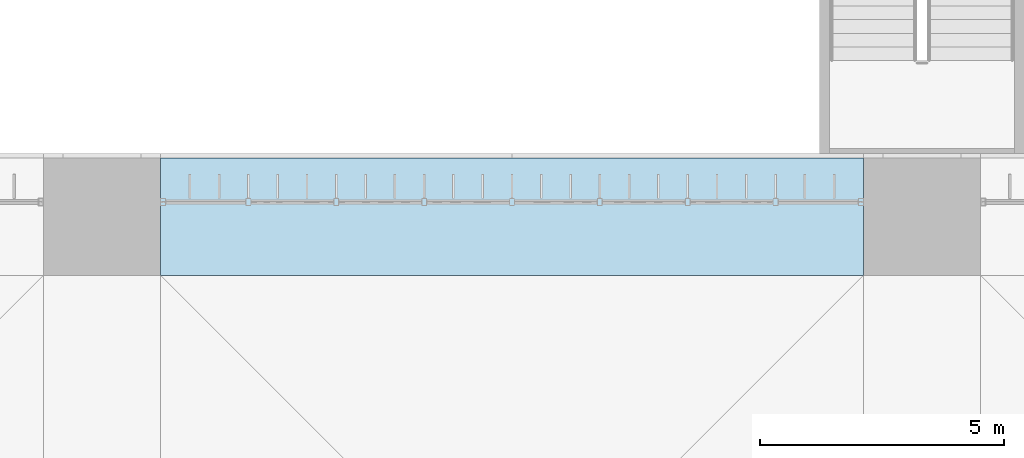
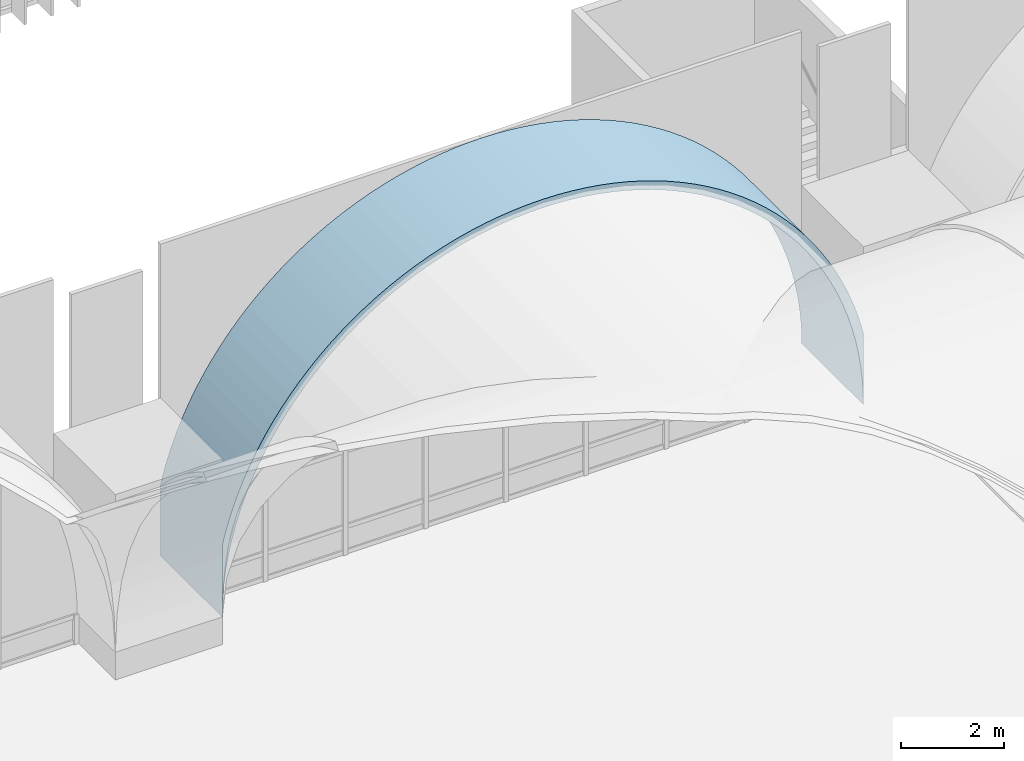
# One storey, part 121 of 169: 1 roof.
"""IFC4 building model written with IfcOpenShell, lengths in metres."""

from ifc_helpers import new_model, si_unit, direction, frame, origin, place, context, subcontext, project, spatial, polygons, material, layer, layer_set, type_object, element, save


model = new_model("IFC4")

# Units and contexts
model_context = context("Model", 3, precision=1e-05, world=origin(), true_north=direction((0.0, 1.0)))
body_context = subcontext(model_context, "Body", "Model", "MODEL_VIEW")
ifc_project = project(units=[si_unit("LENGTHUNIT", "METRE"), si_unit("AREAUNIT", "SQUARE_METRE"), si_unit("VOLUMEUNIT", "CUBIC_METRE"), si_unit("PLANEANGLEUNIT", "RADIAN"), si_unit("MASSUNIT", "GRAM", prefix="KILO")], contexts=[model_context])

# Site, building, storey
site_placement = place(None, origin())
site = spatial("IfcSite", under=ifc_project, at=site_placement, CompositionType="ELEMENT")
building_placement = place(site_placement, origin())
building = spatial("IfcBuilding", under=site, at=building_placement, Name="Verrick Yard Athletic Hall", CompositionType="ELEMENT")
storey_placement = place(building_placement, frame((0.0, 0.0, 4.39990234375)))
storey = spatial("IfcBuildingStorey", under=building, at=storey_placement, Name="L01", CompositionType="ELEMENT", Elevation=4.39990234375)

# Roof
ifc_material = material(Name="Concrete 35 MPa", Category="concrete")
ifc_layer = layer(ifc_material, 0.199951171875)
ifc_layer_set = layer_set([ifc_layer], Name="Arch rib 200")
roof_type = type_object("IfcRoofType", Name="Arch rib 200", PredefinedType="BARREL_ROOF", material=ifc_layer_set)
roof_placement = place(storey_placement, origin())
element("IfcRoof", 1, at=roof_placement, inside=storey, type_object=roof_type, Name="Vault rib N2", PredefinedType="BARREL_ROOF", context=body_context, shape_type="Tessellation", body=[
    polygons([(58.0, 51.60009765625, 2.352294921875), (58.0, 51.60009765625, 0.650146484375), (58.0068359375, 51.60009765625, 0.964111328125), (58.02734375, 51.60009765625, 1.277587890625), (58.0615234375, 51.60009765625, 1.58984375), (58.109375, 51.60009765625, 1.900390625), (58.170654296875, 51.60009765625, 2.20849609375), (58.245361328125, 51.60009765625, 2.513671875), (58.333251953125, 51.60009765625, 2.815185546875), (58.43408203125, 51.60009765625, 3.112548828125), (58.548095703125, 51.60009765625, 3.405517578125), (58.674560546875, 51.60009765625, 3.693115234375), (58.8134765625, 51.60009765625, 3.974609375), (58.964599609375, 51.60009765625, 4.25), (59.127685546875, 51.60009765625, 4.518798828125), (59.302001953125, 51.60009765625, 4.77978515625), (59.48779296875, 51.60009765625, 5.033203125), (59.6845703125, 51.60009765625, 5.278076171875), (59.8916015625, 51.60009765625, 5.514404296875), (60.10888671875, 51.60009765625, 5.7412109375), (60.335693359375, 51.60009765625, 5.95849609375), (60.572021484375, 51.60009765625, 6.16552734375), (60.81689453125, 51.60009765625, 6.3623046875), (61.0703125, 51.60009765625, 6.548095703125), (61.331298828125, 51.60009765625, 6.722412109375), (61.60009765625, 51.60009765625, 6.885498046875), (61.87548828125, 51.60009765625, 7.03662109375), (62.156982421875, 51.60009765625, 7.175537109375), (62.444580078125, 51.60009765625, 7.302001953125), (62.737548828125, 51.60009765625, 7.416015625), (63.034912109375, 51.60009765625, 7.516845703125), (63.33642578125, 51.60009765625, 7.604736328125), (63.6416015625, 51.60009765625, 7.679443359375), (63.94970703125, 51.60009765625, 7.74072265625), (64.26025390625, 51.60009765625, 7.78857421875), (64.572509765625, 51.60009765625, 7.82275390625), (64.885986328125, 51.60009765625, 7.84326171875), (65.199951171875, 51.60009765625, 7.85009765625), (65.51416015625, 51.60009765625, 7.84326171875), (65.827392578125, 51.60009765625, 7.82275390625), (66.139892578125, 51.60009765625, 7.78857421875), (66.4501953125, 51.60009765625, 7.74072265625), (66.75830078125, 51.60009765625, 7.679443359375), (67.0634765625, 51.60009765625, 7.604736328125), (67.364990234375, 51.60009765625, 7.516845703125), (67.66259765625, 51.60009765625, 7.416015625), (67.955322265625, 51.60009765625, 7.302001953125), (68.242919921875, 51.60009765625, 7.175537109375), (68.524658203125, 51.60009765625, 7.03662109375), (68.800048828125, 51.60009765625, 6.885498046875), (69.068603515625, 51.60009765625, 6.722412109375), (69.329833984375, 51.60009765625, 6.548095703125), (69.5830078125, 51.60009765625, 6.3623046875), (69.828125, 51.60009765625, 6.16552734375), (70.064208984375, 51.60009765625, 5.95849609375), (70.291259765625, 51.60009765625, 5.7412109375), (70.50830078125, 51.60009765625, 5.514404296875), (70.715576171875, 51.60009765625, 5.278076171875), (70.912109375, 51.60009765625, 5.033203125), (71.097900390625, 51.60009765625, 4.77978515625), (71.2724609375, 51.60009765625, 4.518798828125), (71.435302734375, 51.60009765625, 4.25), (71.58642578125, 51.60009765625, 3.974609375), (71.725341796875, 51.60009765625, 3.693115234375), (71.851806640625, 51.60009765625, 3.405517578125), (71.9658203125, 51.60009765625, 3.112548828125), (72.06689453125, 51.60009765625, 2.815185546875), (72.15478515625, 51.60009765625, 2.513671875), (72.229248046875, 51.60009765625, 2.20849609375), (72.29052734375, 51.60009765625, 1.900390625), (72.33837890625, 51.60009765625, 1.58984375), (72.37255859375, 51.60009765625, 1.277587890625), (72.39306640625, 51.60009765625, 0.964111328125), (72.39990234375, 51.60009765625, 0.650146484375), (72.39990234375, 51.60009765625, 2.352294921875), (72.347900390625, 51.60009765625, 2.5654296875), (72.257568359375, 51.60009765625, 2.875244140625), (72.15380859375, 51.60009765625, 3.180908203125), (72.03662109375, 51.60009765625, 3.48193359375), (71.90673828125, 51.60009765625, 3.777587890625), (71.763916015625, 51.60009765625, 4.06689453125), (71.608642578125, 51.60009765625, 4.35009765625), (71.441162109375, 51.60009765625, 4.6259765625), (71.26171875, 51.60009765625, 4.89453125), (71.07080078125, 51.60009765625, 5.15478515625), (70.86865234375, 51.60009765625, 5.40673828125), (70.656005859375, 51.60009765625, 5.6494140625), (70.4326171875, 51.60009765625, 5.8828125), (70.199462890625, 51.60009765625, 6.10595703125), (69.95654296875, 51.60009765625, 6.31884765625), (69.704833984375, 51.60009765625, 6.52099609375), (69.444580078125, 51.60009765625, 6.7119140625), (69.176025390625, 51.60009765625, 6.89111328125), (68.89990234375, 51.60009765625, 7.05859375), (68.616943359375, 51.60009765625, 7.214111328125), (68.327392578125, 51.60009765625, 7.356689453125), (68.031982421875, 51.60009765625, 7.48681640625), (67.73095703125, 51.60009765625, 7.603759765625), (67.42529296875, 51.60009765625, 7.70751953125), (67.115234375, 51.60009765625, 7.798095703125), (66.8017578125, 51.60009765625, 7.874755859375), (66.485107421875, 51.60009765625, 7.937744140625), (66.166015625, 51.60009765625, 7.98681640625), (65.844970703125, 51.60009765625, 8.02197265625), (65.522705078125, 51.60009765625, 8.043212890625), (65.199951171875, 51.60009765625, 8.050048828125), (64.877197265625, 51.60009765625, 8.043212890625), (64.554931640625, 51.60009765625, 8.02197265625), (64.234130859375, 51.60009765625, 7.98681640625), (63.9150390625, 51.60009765625, 7.937744140625), (63.598388671875, 51.60009765625, 7.874755859375), (63.28466796875, 51.60009765625, 7.798095703125), (62.974853515625, 51.60009765625, 7.70751953125), (62.669189453125, 51.60009765625, 7.603759765625), (62.3681640625, 51.60009765625, 7.48681640625), (62.072509765625, 51.60009765625, 7.356689453125), (61.783203125, 51.60009765625, 7.214111328125), (61.5, 51.60009765625, 7.05859375), (61.22412109375, 51.60009765625, 6.89111328125), (60.95556640625, 51.60009765625, 6.7119140625), (60.6953125, 51.60009765625, 6.52099609375), (60.443359375, 51.60009765625, 6.31884765625), (60.20068359375, 51.60009765625, 6.10595703125), (59.96728515625, 51.60009765625, 5.8828125), (59.744140625, 51.60009765625, 5.6494140625), (59.53125, 51.60009765625, 5.40673828125), (59.3291015625, 51.60009765625, 5.15478515625), (59.13818359375, 51.60009765625, 4.89453125), (58.958984375, 51.60009765625, 4.6259765625), (58.79150390625, 51.60009765625, 4.35009765625), (58.635986328125, 51.60009765625, 4.06689453125), (58.493408203125, 51.60009765625, 3.777587890625), (58.36328125, 51.60009765625, 3.48193359375), (58.246337890625, 51.60009765625, 3.180908203125), (58.142578125, 51.60009765625, 2.875244140625), (58.052001953125, 51.60009765625, 2.5654296875), (58.0, 54.0, 2.352294921875), (58.0, 54.0, 0.650146484375), (58.0068359375, 54.0, 0.964111328125), (58.02734375, 54.0, 1.277587890625), (58.0615234375, 54.0, 1.58984375), (58.109375, 54.0, 1.900390625), (58.170654296875, 54.0, 2.20849609375), (58.245361328125, 54.0, 2.513671875), (58.333251953125, 54.0, 2.815185546875), (58.43408203125, 54.0, 3.112548828125), (58.548095703125, 54.0, 3.405517578125), (58.674560546875, 54.0, 3.693115234375), (58.8134765625, 54.0, 3.974609375), (58.964599609375, 54.0, 4.25), (59.127685546875, 54.0, 4.518798828125), (59.302001953125, 54.0, 4.77978515625), (59.48779296875, 54.0, 5.033203125), (59.6845703125, 54.0, 5.278076171875), (59.8916015625, 54.0, 5.514404296875), (60.10888671875, 54.0, 5.7412109375), (60.335693359375, 54.0, 5.95849609375), (60.572021484375, 54.0, 6.16552734375), (60.81689453125, 54.0, 6.3623046875), (61.0703125, 54.0, 6.548095703125), (61.331298828125, 54.0, 6.722412109375), (61.60009765625, 54.0, 6.885498046875), (61.87548828125, 54.0, 7.03662109375), (62.156982421875, 54.0, 7.175537109375), (62.444580078125, 54.0, 7.302001953125), (62.737548828125, 54.0, 7.416015625), (63.034912109375, 54.0, 7.516845703125), (63.33642578125, 54.0, 7.604736328125), (63.6416015625, 54.0, 7.679443359375), (63.94970703125, 54.0, 7.74072265625), (64.26025390625, 54.0, 7.78857421875), (64.572509765625, 54.0, 7.82275390625), (64.885986328125, 54.0, 7.84326171875), (65.199951171875, 54.0, 7.85009765625), (65.51416015625, 54.0, 7.84326171875), (65.827392578125, 54.0, 7.82275390625), (66.139892578125, 54.0, 7.78857421875), (66.4501953125, 54.0, 7.74072265625), (66.75830078125, 54.0, 7.679443359375), (67.0634765625, 54.0, 7.604736328125), (67.364990234375, 54.0, 7.516845703125), (67.66259765625, 54.0, 7.416015625), (67.955322265625, 54.0, 7.302001953125), (68.242919921875, 54.0, 7.175537109375), (68.524658203125, 54.0, 7.03662109375), (68.800048828125, 54.0, 6.885498046875), (69.068603515625, 54.0, 6.722412109375), (69.329833984375, 54.0, 6.548095703125), (69.5830078125, 54.0, 6.3623046875), (69.828125, 54.0, 6.16552734375), (70.064208984375, 54.0, 5.95849609375), (70.291259765625, 54.0, 5.7412109375), (70.50830078125, 54.0, 5.514404296875), (70.715576171875, 54.0, 5.278076171875), (70.912109375, 54.0, 5.033203125), (71.097900390625, 54.0, 4.77978515625), (71.2724609375, 54.0, 4.518798828125), (71.435302734375, 54.0, 4.25), (71.58642578125, 54.0, 3.974609375), (71.725341796875, 54.0, 3.693115234375), (71.851806640625, 54.0, 3.405517578125), (71.9658203125, 54.0, 3.112548828125), (72.06689453125, 54.0, 2.815185546875), (72.15478515625, 54.0, 2.513671875), (72.229248046875, 54.0, 2.20849609375), (72.29052734375, 54.0, 1.900390625), (72.33837890625, 54.0, 1.58984375), (72.37255859375, 54.0, 1.277587890625), (72.39306640625, 54.0, 0.964111328125), (72.39990234375, 54.0, 0.650146484375), (72.39990234375, 54.0, 2.352294921875), (72.347900390625, 54.0, 2.5654296875), (72.257568359375, 54.0, 2.875244140625), (72.15380859375, 54.0, 3.180908203125), (72.03662109375, 54.0, 3.48193359375), (71.90673828125, 54.0, 3.777587890625), (71.763916015625, 54.0, 4.06689453125), (71.608642578125, 54.0, 4.35009765625), (71.441162109375, 54.0, 4.6259765625), (71.26171875, 54.0, 4.89453125), (71.07080078125, 54.0, 5.15478515625), (70.86865234375, 54.0, 5.40673828125), (70.656005859375, 54.0, 5.6494140625), (70.4326171875, 54.0, 5.8828125), (70.199462890625, 54.0, 6.10595703125), (69.95654296875, 54.0, 6.31884765625), (69.704833984375, 54.0, 6.52099609375), (69.444580078125, 54.0, 6.7119140625), (69.176025390625, 54.0, 6.89111328125), (68.89990234375, 54.0, 7.05859375), (68.616943359375, 54.0, 7.214111328125), (68.327392578125, 54.0, 7.356689453125), (68.031982421875, 54.0, 7.48681640625), (67.73095703125, 54.0, 7.603759765625), (67.42529296875, 54.0, 7.70751953125), (67.115234375, 54.0, 7.798095703125), (66.8017578125, 54.0, 7.874755859375), (66.485107421875, 54.0, 7.937744140625), (66.166015625, 54.0, 7.98681640625), (65.844970703125, 54.0, 8.02197265625), (65.522705078125, 54.0, 8.043212890625), (65.199951171875, 54.0, 8.050048828125), (64.877197265625, 54.0, 8.043212890625), (64.554931640625, 54.0, 8.02197265625), (64.234130859375, 54.0, 7.98681640625), (63.9150390625, 54.0, 7.937744140625), (63.598388671875, 54.0, 7.874755859375), (63.28466796875, 54.0, 7.798095703125), (62.974853515625, 54.0, 7.70751953125), (62.669189453125, 54.0, 7.603759765625), (62.3681640625, 54.0, 7.48681640625), (62.072509765625, 54.0, 7.356689453125), (61.783203125, 54.0, 7.214111328125), (61.5, 54.0, 7.05859375), (61.22412109375, 54.0, 6.89111328125), (60.95556640625, 54.0, 6.7119140625), (60.6953125, 54.0, 6.52099609375), (60.443359375, 54.0, 6.31884765625), (60.20068359375, 54.0, 6.10595703125), (59.96728515625, 54.0, 5.8828125), (59.744140625, 54.0, 5.6494140625), (59.53125, 54.0, 5.40673828125), (59.3291015625, 54.0, 5.15478515625), (59.13818359375, 54.0, 4.89453125), (58.958984375, 54.0, 4.6259765625), (58.79150390625, 54.0, 4.35009765625), (58.635986328125, 54.0, 4.06689453125), (58.493408203125, 54.0, 3.777587890625), (58.36328125, 54.0, 3.48193359375), (58.246337890625, 54.0, 3.180908203125), (58.142578125, 54.0, 2.875244140625), (58.052001953125, 54.0, 2.5654296875)], [[[1, 2, 3]], [[137, 139, 138]], [[136, 1, 3]], [[272, 139, 137]], [[136, 3, 4]], [[272, 140, 139]], [[136, 4, 5]], [[272, 141, 140]], [[136, 5, 6]], [[272, 142, 141]], [[136, 6, 7]], [[272, 143, 142]], [[136, 7, 8]], [[272, 144, 143]], [[136, 8, 9]], [[272, 145, 144]], [[136, 9, 10]], [[272, 146, 145]], [[136, 10, 11]], [[272, 147, 146]], [[136, 11, 12]], [[272, 148, 147]], [[136, 12, 13]], [[272, 149, 148]], [[73, 74, 75]], [[209, 211, 210]], [[72, 73, 75]], [[208, 211, 209]], [[71, 72, 75]], [[207, 211, 208]], [[70, 71, 75]], [[206, 211, 207]], [[69, 70, 75]], [[205, 211, 206]], [[68, 69, 75]], [[204, 211, 205]], [[67, 68, 75]], [[203, 211, 204]], [[66, 67, 75]], [[202, 211, 203]], [[65, 66, 75]], [[201, 211, 202]], [[64, 65, 75]], [[200, 211, 201]], [[63, 64, 75]], [[199, 211, 200]], [[63, 75, 76]], [[199, 212, 211]], [[63, 76, 77]], [[199, 213, 212]], [[62, 63, 77]], [[198, 213, 199]], [[62, 77, 78]], [[198, 214, 213]], [[61, 62, 78]], [[197, 214, 198]], [[61, 78, 79]], [[197, 215, 214]], [[60, 61, 79]], [[196, 215, 197]], [[60, 79, 80]], [[196, 216, 215]], [[59, 60, 80]], [[195, 216, 196]], [[59, 80, 81]], [[195, 217, 216]], [[58, 59, 81]], [[194, 217, 195]], [[58, 81, 82]], [[194, 218, 217]], [[57, 58, 82]], [[193, 218, 194]], [[57, 82, 83]], [[193, 219, 218]], [[56, 57, 83]], [[192, 219, 193]], [[56, 83, 84]], [[192, 220, 219]], [[55, 56, 84]], [[191, 220, 192]], [[55, 84, 85]], [[191, 221, 220]], [[54, 55, 85]], [[190, 221, 191]], [[54, 85, 86]], [[190, 222, 221]], [[53, 54, 86]], [[189, 222, 190]], [[53, 86, 87]], [[189, 223, 222]], [[52, 53, 87]], [[188, 223, 189]], [[52, 87, 88]], [[188, 224, 223]], [[51, 52, 88]], [[187, 224, 188]], [[51, 88, 89]], [[187, 225, 224]], [[50, 51, 89]], [[186, 225, 187]], [[50, 89, 90]], [[186, 226, 225]], [[49, 50, 90]], [[185, 226, 186]], [[49, 90, 91]], [[185, 227, 226]], [[48, 49, 91]], [[184, 227, 185]], [[48, 91, 92]], [[184, 228, 227]], [[47, 48, 92]], [[183, 228, 184]], [[47, 92, 93]], [[183, 229, 228]], [[46, 47, 93]], [[182, 229, 183]], [[46, 93, 94]], [[182, 230, 229]], [[45, 46, 94]], [[181, 230, 182]], [[45, 94, 95]], [[181, 231, 230]], [[44, 45, 95]], [[180, 231, 181]], [[44, 95, 96]], [[180, 232, 231]], [[43, 44, 96]], [[179, 232, 180]], [[43, 96, 97]], [[179, 233, 232]], [[42, 43, 97]], [[178, 233, 179]], [[42, 97, 98]], [[178, 234, 233]], [[41, 42, 98]], [[177, 234, 178]], [[41, 98, 99]], [[177, 235, 234]], [[40, 41, 99]], [[176, 235, 177]], [[40, 99, 100]], [[176, 236, 235]], [[39, 40, 100]], [[175, 236, 176]], [[39, 100, 101]], [[175, 237, 236]], [[38, 39, 101]], [[174, 237, 175]], [[38, 101, 102]], [[174, 238, 237]], [[37, 38, 102]], [[173, 238, 174]], [[37, 102, 103]], [[173, 239, 238]], [[36, 37, 103]], [[172, 239, 173]], [[36, 103, 104]], [[172, 240, 239]], [[35, 36, 104]], [[171, 240, 172]], [[35, 104, 105]], [[171, 241, 240]], [[34, 35, 105]], [[170, 241, 171]], [[34, 105, 106]], [[170, 242, 241]], [[33, 34, 106]], [[169, 242, 170]], [[33, 106, 107]], [[169, 243, 242]], [[32, 33, 107]], [[168, 243, 169]], [[32, 107, 108]], [[168, 244, 243]], [[31, 32, 108]], [[167, 244, 168]], [[31, 108, 109]], [[167, 245, 244]], [[30, 31, 109]], [[166, 245, 167]], [[30, 109, 110]], [[166, 246, 245]], [[29, 30, 110]], [[165, 246, 166]], [[29, 110, 111]], [[165, 247, 246]], [[28, 29, 111]], [[164, 247, 165]], [[28, 111, 112]], [[164, 248, 247]], [[27, 28, 112]], [[163, 248, 164]], [[27, 112, 113]], [[163, 249, 248]], [[26, 27, 113]], [[162, 249, 163]], [[26, 113, 114]], [[162, 250, 249]], [[25, 26, 114]], [[161, 250, 162]], [[25, 114, 115]], [[161, 251, 250]], [[24, 25, 115]], [[160, 251, 161]], [[24, 115, 116]], [[160, 252, 251]], [[23, 24, 116]], [[159, 252, 160]], [[23, 116, 117]], [[159, 253, 252]], [[22, 23, 117]], [[158, 253, 159]], [[22, 117, 118]], [[158, 254, 253]], [[21, 22, 118]], [[157, 254, 158]], [[21, 118, 119]], [[157, 255, 254]], [[20, 21, 119]], [[156, 255, 157]], [[20, 119, 120]], [[156, 256, 255]], [[19, 20, 120]], [[155, 256, 156]], [[19, 120, 121]], [[155, 257, 256]], [[18, 19, 121]], [[154, 257, 155]], [[18, 121, 122]], [[154, 258, 257]], [[17, 18, 122]], [[153, 258, 154]], [[17, 122, 123]], [[153, 259, 258]], [[16, 17, 123]], [[152, 259, 153]], [[16, 123, 124]], [[152, 260, 259]], [[15, 16, 124]], [[151, 260, 152]], [[15, 124, 125]], [[151, 261, 260]], [[14, 15, 125]], [[150, 261, 151]], [[14, 125, 126]], [[150, 262, 261]], [[13, 14, 126]], [[149, 262, 150]], [[136, 13, 126]], [[272, 262, 149]], [[136, 126, 127]], [[272, 263, 262]], [[136, 127, 128]], [[272, 264, 263]], [[136, 128, 129]], [[272, 265, 264]], [[136, 129, 130]], [[272, 266, 265]], [[136, 130, 131]], [[272, 267, 266]], [[136, 131, 132]], [[272, 268, 267]], [[136, 132, 133]], [[272, 269, 268]], [[136, 133, 134]], [[272, 270, 269]], [[134, 135, 136]], [[270, 272, 271]], [[1, 138, 2]], [[1, 137, 138]], [[2, 139, 3]], [[2, 138, 139]], [[3, 140, 4]], [[3, 139, 140]], [[4, 141, 5]], [[4, 140, 141]], [[5, 142, 6]], [[5, 141, 142]], [[6, 143, 7]], [[6, 142, 143]], [[7, 144, 8]], [[7, 143, 144]], [[8, 145, 9]], [[8, 144, 145]], [[9, 146, 10]], [[9, 145, 146]], [[10, 147, 11]], [[10, 146, 147]], [[11, 148, 12]], [[11, 147, 148]], [[12, 149, 13]], [[12, 148, 149]], [[13, 150, 14]], [[13, 149, 150]], [[14, 151, 15]], [[14, 150, 151]], [[15, 152, 16]], [[15, 151, 152]], [[16, 153, 17]], [[16, 152, 153]], [[17, 154, 18]], [[17, 153, 154]], [[18, 155, 19]], [[18, 154, 155]], [[19, 156, 20]], [[19, 155, 156]], [[20, 157, 21]], [[20, 156, 157]], [[21, 158, 22]], [[21, 157, 158]], [[22, 159, 23]], [[22, 158, 159]], [[23, 160, 24]], [[23, 159, 160]], [[24, 161, 25]], [[24, 160, 161]], [[25, 162, 26]], [[25, 161, 162]], [[26, 163, 27]], [[26, 162, 163]], [[27, 164, 28]], [[27, 163, 164]], [[28, 165, 29]], [[28, 164, 165]], [[29, 166, 30]], [[29, 165, 166]], [[30, 167, 31]], [[30, 166, 167]], [[31, 168, 32]], [[31, 167, 168]], [[32, 169, 33]], [[32, 168, 169]], [[33, 170, 34]], [[33, 169, 170]], [[34, 171, 35]], [[34, 170, 171]], [[35, 172, 36]], [[35, 171, 172]], [[36, 173, 37]], [[36, 172, 173]], [[37, 174, 38]], [[37, 173, 174]], [[38, 175, 39]], [[38, 174, 175]], [[39, 176, 40]], [[39, 175, 176]], [[40, 177, 41]], [[40, 176, 177]], [[41, 178, 42]], [[41, 177, 178]], [[42, 179, 43]], [[42, 178, 179]], [[43, 180, 44]], [[43, 179, 180]], [[44, 181, 45]], [[44, 180, 181]], [[45, 182, 46]], [[45, 181, 182]], [[46, 183, 47]], [[46, 182, 183]], [[47, 184, 48]], [[47, 183, 184]], [[48, 185, 49]], [[48, 184, 185]], [[49, 186, 50]], [[49, 185, 186]], [[50, 187, 51]], [[50, 186, 187]], [[51, 188, 52]], [[51, 187, 188]], [[52, 189, 53]], [[52, 188, 189]], [[53, 190, 54]], [[53, 189, 190]], [[54, 191, 55]], [[54, 190, 191]], [[55, 192, 56]], [[55, 191, 192]], [[56, 193, 57]], [[56, 192, 193]], [[57, 194, 58]], [[57, 193, 194]], [[58, 195, 59]], [[58, 194, 195]], [[59, 196, 60]], [[59, 195, 196]], [[60, 197, 61]], [[60, 196, 197]], [[61, 198, 62]], [[61, 197, 198]], [[62, 199, 63]], [[62, 198, 199]], [[63, 200, 64]], [[63, 199, 200]], [[64, 201, 65]], [[64, 200, 201]], [[65, 202, 66]], [[65, 201, 202]], [[66, 203, 67]], [[66, 202, 203]], [[67, 204, 68]], [[67, 203, 204]], [[68, 205, 69]], [[68, 204, 205]], [[69, 206, 70]], [[69, 205, 206]], [[70, 207, 71]], [[70, 206, 207]], [[71, 208, 72]], [[71, 207, 208]], [[72, 209, 73]], [[72, 208, 209]], [[73, 210, 74]], [[73, 209, 210]], [[74, 211, 75]], [[74, 210, 211]], [[75, 212, 76]], [[75, 211, 212]], [[76, 213, 77]], [[76, 212, 213]], [[77, 214, 78]], [[77, 213, 214]], [[78, 215, 79]], [[78, 214, 215]], [[79, 216, 80]], [[79, 215, 216]], [[80, 217, 81]], [[80, 216, 217]], [[81, 218, 82]], [[81, 217, 218]], [[82, 219, 83]], [[82, 218, 219]], [[83, 220, 84]], [[83, 219, 220]], [[84, 221, 85]], [[84, 220, 221]], [[85, 222, 86]], [[85, 221, 222]], [[86, 223, 87]], [[86, 222, 223]], [[87, 224, 88]], [[87, 223, 224]], [[88, 225, 89]], [[88, 224, 225]], [[89, 226, 90]], [[89, 225, 226]], [[90, 227, 91]], [[90, 226, 227]], [[91, 228, 92]], [[91, 227, 228]], [[92, 229, 93]], [[92, 228, 229]], [[93, 230, 94]], [[93, 229, 230]], [[94, 231, 95]], [[94, 230, 231]], [[95, 232, 96]], [[95, 231, 232]], [[96, 233, 97]], [[96, 232, 233]], [[97, 234, 98]], [[97, 233, 234]], [[98, 235, 99]], [[98, 234, 235]], [[99, 236, 100]], [[99, 235, 236]], [[100, 237, 101]], [[100, 236, 237]], [[101, 238, 102]], [[101, 237, 238]], [[102, 239, 103]], [[102, 238, 239]], [[103, 240, 104]], [[103, 239, 240]], [[104, 241, 105]], [[104, 240, 241]], [[105, 242, 106]], [[105, 241, 242]], [[106, 243, 107]], [[106, 242, 243]], [[107, 244, 108]], [[107, 243, 244]], [[108, 245, 109]], [[108, 244, 245]], [[109, 246, 110]], [[109, 245, 246]], [[110, 247, 111]], [[110, 246, 247]], [[111, 248, 112]], [[111, 247, 248]], [[112, 249, 113]], [[112, 248, 249]], [[113, 250, 114]], [[113, 249, 250]], [[114, 251, 115]], [[114, 250, 251]], [[115, 252, 116]], [[115, 251, 252]], [[116, 253, 117]], [[116, 252, 253]], [[117, 254, 118]], [[117, 253, 254]], [[118, 255, 119]], [[118, 254, 255]], [[119, 256, 120]], [[119, 255, 256]], [[120, 257, 121]], [[120, 256, 257]], [[121, 258, 122]], [[121, 257, 258]], [[122, 259, 123]], [[122, 258, 259]], [[123, 260, 124]], [[123, 259, 260]], [[124, 261, 125]], [[124, 260, 261]], [[125, 262, 126]], [[125, 261, 262]], [[126, 263, 127]], [[126, 262, 263]], [[127, 264, 128]], [[127, 263, 264]], [[128, 265, 129]], [[128, 264, 265]], [[129, 266, 130]], [[129, 265, 266]], [[130, 267, 131]], [[130, 266, 267]], [[131, 268, 132]], [[131, 267, 268]], [[132, 269, 133]], [[132, 268, 269]], [[133, 270, 134]], [[133, 269, 270]], [[134, 271, 135]], [[134, 270, 271]], [[135, 272, 136]], [[135, 271, 272]], [[136, 137, 1]], [[136, 272, 137]]], closed=True),
])

save(model, "model.ifc")
